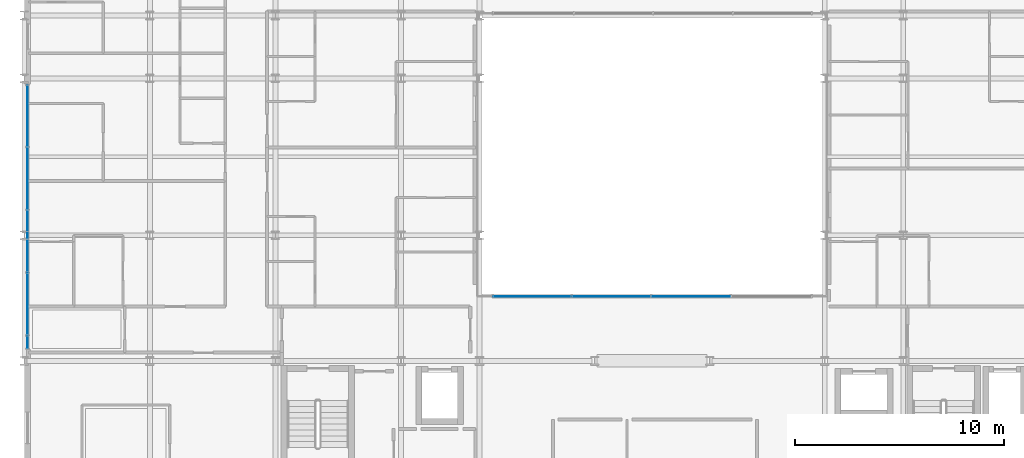
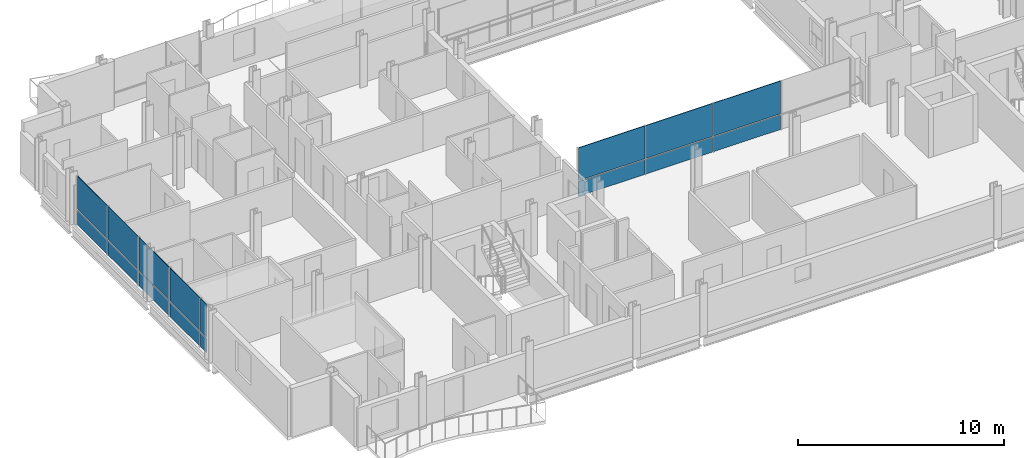
# One storey, part 26 of 41: 16 plates, 2 elements without a shape of their own.
"""IFC4 building model written with IfcOpenShell, lengths in metres."""

from ifc_helpers import new_model, si_unit, direction, frame, origin, origin_2d, place, context, subcontext, project, spatial, rectangle, extrude, material, layer, layer_set, type_object, element, aggregate, save


model = new_model("IFC4")

# Units and contexts
model_context = context("Model", 3, precision=1e-05, world=origin(), true_north=direction((0.0, 1.0)))
body_context = subcontext(model_context, "Body", "Model", "MODEL_VIEW")
ifc_project = project(units=[si_unit("LENGTHUNIT", "METRE"), si_unit("AREAUNIT", "SQUARE_METRE"), si_unit("VOLUMEUNIT", "CUBIC_METRE"), si_unit("PLANEANGLEUNIT", "RADIAN"), si_unit("MASSUNIT", "GRAM", prefix="KILO")], contexts=[model_context])

# Site, building, storey
site_placement = place(None, origin())
site = spatial("IfcSite", under=ifc_project, at=site_placement, CompositionType="ELEMENT")
building_placement = place(site_placement, origin())
building = spatial("IfcBuilding", under=site, at=building_placement, Name="Brevholm Reach", CompositionType="ELEMENT")
storey_placement = place(building_placement, frame((0.0, 0.0, 106.60009765625)))
storey = spatial("IfcBuildingStorey", under=building, at=storey_placement, Name="L31", CompositionType="ELEMENT", Elevation=106.60009765625)

# Curtain wall, plates
ifc_material_1 = material(Name="Dark Anodised Aluminium 6063-T6 and Solar-Control Glass", Category="aluminium")
ifc_layer_1 = layer(ifc_material_1, 0.14990234375)
ifc_layer_set_1 = layer_set([ifc_layer_1], Name="Dark Anodised Aluminium 6063-T6 and Solar-Control Glass")
curtain_wall_type_1 = type_object("IfcCurtainWallType", Name="CW-01", PredefinedType="NOTDEFINED", material=ifc_layer_set_1)
curtain_wall_1_placement = place(storey_placement, origin())
curtain_wall_1 = element("IfcCurtainWall", 1, at=curtain_wall_1_placement, inside=storey, type_object=curtain_wall_type_1, Name="L31 Curtain Wall CW-01", PredefinedType="NOTDEFINED")
ifc_material_2 = material(Name="Dark Solar-Control Double-Glazed IGU Glass", Category="glass")
ifc_layer_2 = layer(ifc_material_2, 0.028076171875)
ifc_layer_set_2 = layer_set([ifc_layer_2], Name="Dark Solar-Control Double-Glazed IGU Glass")
plate_type_1 = type_object("IfcPlateType", Name="CWP-GLZ-28", PredefinedType="CURTAIN_PANEL", material=ifc_layer_set_2)
plate_1_placement = place(storey_placement, frame((0.14990234375, 21.703857421875, 0.0), z_axis=(0.0, 0.0, 1.0), x_axis=(0.0, -1.0, 0.0)))
plate_1 = element("IfcPlate", 2, at=plate_1_placement, type_object=plate_type_1, Name="CP-01 Glazing Panel 1.1", PredefinedType="CURTAIN_PANEL", context=body_context, shape_type="SweptSolid", body=[
    extrude(rectangle(XDim=2.902587890625, YDim=0.028076171875, at=origin_2d()), origin(), (0.0, 0.0, 1.0), 0.867431640625),
])
plate_2_placement = place(storey_placement, frame((0.14990234375, 21.703857421875, 0.9326171875), z_axis=(0.0, 0.0, 1.0), x_axis=(0.0, -1.0, 0.0)))
plate_2 = element("IfcPlate", 3, at=plate_2_placement, type_object=plate_type_1, Name="CP-01 Glazing Panel 1.2", PredefinedType="CURTAIN_PANEL", context=body_context, shape_type="SweptSolid", body=[
    extrude(rectangle(XDim=2.902587890625, YDim=0.028076171875, at=origin_2d()), origin(), (0.0, 0.0, 1.0), 1.947509765625),
])
plate_3_placement = place(storey_placement, frame((0.14990234375, 18.719970703125, 0.0), z_axis=(0.0, 0.0, 1.0), x_axis=(0.0, -1.0, 0.0)))
plate_3 = element("IfcPlate", 4, at=plate_3_placement, type_object=plate_type_1, Name="CP-01 Glazing Panel 2.1", PredefinedType="CURTAIN_PANEL", context=body_context, shape_type="SweptSolid", body=[
    extrude(rectangle(XDim=2.93505859375, YDim=0.028076171875, at=origin_2d()), origin(), (0.0, 0.0, 1.0), 0.867431640625),
])
plate_4_placement = place(storey_placement, frame((0.14990234375, 18.719970703125, 0.9326171875), z_axis=(0.0, 0.0, 1.0), x_axis=(0.0, -1.0, 0.0)))
plate_4 = element("IfcPlate", 5, at=plate_4_placement, type_object=plate_type_1, Name="CP-01 Glazing Panel 2.2", PredefinedType="CURTAIN_PANEL", context=body_context, shape_type="SweptSolid", body=[
    extrude(rectangle(XDim=2.93505859375, YDim=0.028076171875, at=origin_2d()), origin(), (0.0, 0.0, 1.0), 1.947509765625),
])
plate_5_placement = place(storey_placement, frame((0.14990234375, 15.719970703125, 0.0), z_axis=(0.0, 0.0, 1.0), x_axis=(0.0, -1.0, 0.0)))
plate_5 = element("IfcPlate", 6, at=plate_5_placement, type_object=plate_type_1, Name="CP-01 Glazing Panel 3.1", PredefinedType="CURTAIN_PANEL", context=body_context, shape_type="SweptSolid", body=[
    extrude(rectangle(XDim=2.93505859375, YDim=0.028076171875, at=origin_2d()), origin(), (0.0, 0.0, 1.0), 0.867431640625),
])
plate_6_placement = place(storey_placement, frame((0.14990234375, 15.719970703125, 0.9326171875), z_axis=(0.0, 0.0, 1.0), x_axis=(0.0, -1.0, 0.0)))
plate_6 = element("IfcPlate", 7, at=plate_6_placement, type_object=plate_type_1, Name="CP-01 Glazing Panel 3.2", PredefinedType="CURTAIN_PANEL", context=body_context, shape_type="SweptSolid", body=[
    extrude(rectangle(XDim=2.93505859375, YDim=0.028076171875, at=origin_2d()), origin(), (0.0, 0.0, 1.0), 1.947509765625),
])
plate_7_placement = place(storey_placement, frame((0.14990234375, 12.719970703125, 0.0), z_axis=(0.0, 0.0, 1.0), x_axis=(0.0, -1.0, 0.0)))
plate_7 = element("IfcPlate", 8, at=plate_7_placement, type_object=plate_type_1, Name="CP-01 Glazing Panel 4.1", PredefinedType="CURTAIN_PANEL", context=body_context, shape_type="SweptSolid", body=[
    extrude(rectangle(XDim=2.93505859375, YDim=0.028076171875, at=origin_2d()), origin(), (0.0, 0.0, 1.0), 0.867431640625),
])
plate_8_placement = place(storey_placement, frame((0.14990234375, 12.719970703125, 0.9326171875), z_axis=(0.0, 0.0, 1.0), x_axis=(0.0, -1.0, 0.0)))
plate_8 = element("IfcPlate", 9, at=plate_8_placement, type_object=plate_type_1, Name="CP-01 Glazing Panel 4.2", PredefinedType="CURTAIN_PANEL", context=body_context, shape_type="SweptSolid", body=[
    extrude(rectangle(XDim=2.93505859375, YDim=0.028076171875, at=origin_2d()), origin(), (0.0, 0.0, 1.0), 1.947509765625),
])
plate_9_placement = place(storey_placement, frame((0.14990234375, 10.9013671875, 0.0), z_axis=(0.0, 0.0, 1.0), x_axis=(0.0, -1.0, 0.0)))
plate_9 = element("IfcPlate", 10, at=plate_9_placement, type_object=plate_type_1, Name="CP-01 Glazing Panel 5.1", PredefinedType="CURTAIN_PANEL", context=body_context, shape_type="SweptSolid", body=[
    extrude(rectangle(XDim=0.572509765625, YDim=0.028076171875, at=origin_2d()), origin(), (0.0, 0.0, 1.0), 0.867431640625),
])
plate_10_placement = place(storey_placement, frame((0.14990234375, 10.9013671875, 0.9326171875), z_axis=(0.0, 0.0, 1.0), x_axis=(0.0, -1.0, 0.0)))
plate_10 = element("IfcPlate", 11, at=plate_10_placement, type_object=plate_type_1, Name="CP-01 Glazing Panel 5.2", PredefinedType="CURTAIN_PANEL", context=body_context, shape_type="SweptSolid", body=[
    extrude(rectangle(XDim=0.572509765625, YDim=0.028076171875, at=origin_2d()), origin(), (0.0, 0.0, 1.0), 1.947509765625),
])
aggregate(curtain_wall_1, [plate_1, plate_2, plate_3, plate_4, plate_5, plate_6, plate_7, plate_8, plate_9, plate_10])

ifc_material_3 = material(Name="Dark Anodised Aluminium 6063-T6 and Solar-Control Glass", Category="aluminium")
ifc_layer_3 = layer(ifc_material_3, 0.139892578125)
ifc_layer_set_3 = layer_set([ifc_layer_3], Name="Dark Anodised Aluminium 6063-T6 and Solar-Control Glass")
curtain_wall_type_2 = type_object("IfcCurtainWallType", Name="CW-02", PredefinedType="NOTDEFINED", material=ifc_layer_set_3)
curtain_wall_2_placement = place(storey_placement, origin())
curtain_wall_2 = element("IfcCurtainWall", 12, at=curtain_wall_2_placement, inside=storey, type_object=curtain_wall_type_2, Name="L31 Curtain Wall CW-02", PredefinedType="NOTDEFINED")
ifc_material_4 = material(Name="Low-Iron Laminated Acoustic Glass", Category="glass")
ifc_layer_4 = layer(ifc_material_4, 0.035888671875)
ifc_layer_set_4 = layer_set([ifc_layer_4], Name="Low-Iron Laminated Acoustic Glass")
plate_type_2 = type_object("IfcPlateType", Name="CWP-GLZ-36", PredefinedType="CURTAIN_PANEL", material=ifc_layer_set_4)
plate_11_placement = place(storey_placement, frame((24.264892578125, 13.080078125, -0.000244140625), z_axis=(0.0, 0.0, 1.0), x_axis=(1.0, 0.0, 0.0)))
plate_11 = element("IfcPlate", 13, at=plate_11_placement, type_object=plate_type_2, Name="CP-02 Glazing Panel 1.1", PredefinedType="CURTAIN_PANEL", context=body_context, shape_type="SweptSolid", body=[
    extrude(rectangle(XDim=3.7099609375, YDim=0.035888671875, at=origin_2d()), origin(), (0.0, 0.0, 1.0), 0.8701171875),
])
plate_12_placement = place(storey_placement, frame((24.264892578125, 13.080078125, 0.9296875), z_axis=(0.0, 0.0, 1.0), x_axis=(1.0, 0.0, 0.0)))
plate_12 = element("IfcPlate", 14, at=plate_12_placement, type_object=plate_type_2, Name="CP-02 Glazing Panel 1.2", PredefinedType="CURTAIN_PANEL", context=body_context, shape_type="SweptSolid", body=[
    extrude(rectangle(XDim=3.7099609375, YDim=0.035888671875, at=origin_2d()), origin(), (0.0, 0.0, 1.0), 1.949951171875),
])
plate_13_placement = place(storey_placement, frame((28.050048828125, 13.080078125, -0.000244140625), z_axis=(0.0, 0.0, 1.0), x_axis=(1.0, 0.0, 0.0)))
plate_13 = element("IfcPlate", 15, at=plate_13_placement, type_object=plate_type_2, Name="CP-02 Glazing Panel 2.1", PredefinedType="CURTAIN_PANEL", context=body_context, shape_type="SweptSolid", body=[
    extrude(rectangle(XDim=3.739990234375, YDim=0.035888671875, at=origin_2d()), origin(), (0.0, 0.0, 1.0), 0.8701171875),
])
plate_14_placement = place(storey_placement, frame((28.050048828125, 13.080078125, 0.9296875), z_axis=(0.0, 0.0, 1.0), x_axis=(1.0, 0.0, 0.0)))
plate_14 = element("IfcPlate", 16, at=plate_14_placement, type_object=plate_type_2, Name="CP-02 Glazing Panel 2.2", PredefinedType="CURTAIN_PANEL", context=body_context, shape_type="SweptSolid", body=[
    extrude(rectangle(XDim=3.739990234375, YDim=0.035888671875, at=origin_2d()), origin(), (0.0, 0.0, 1.0), 1.949951171875),
])
plate_15_placement = place(storey_placement, frame((31.85009765625, 13.080078125, -0.000244140625), z_axis=(0.0, 0.0, 1.0), x_axis=(1.0, 0.0, 0.0)))
plate_15 = element("IfcPlate", 17, at=plate_15_placement, type_object=plate_type_2, Name="CP-02 Glazing Panel 3.1", PredefinedType="CURTAIN_PANEL", context=body_context, shape_type="SweptSolid", body=[
    extrude(rectangle(XDim=3.739990234375, YDim=0.035888671875, at=origin_2d()), origin(), (0.0, 0.0, 1.0), 0.8701171875),
])
plate_16_placement = place(storey_placement, frame((31.85009765625, 13.080078125, 0.9296875), z_axis=(0.0, 0.0, 1.0), x_axis=(1.0, 0.0, 0.0)))
plate_16 = element("IfcPlate", 18, at=plate_16_placement, type_object=plate_type_2, Name="CP-02 Glazing Panel 3.2", PredefinedType="CURTAIN_PANEL", context=body_context, shape_type="SweptSolid", body=[
    extrude(rectangle(XDim=3.739990234375, YDim=0.035888671875, at=origin_2d()), origin(), (0.0, 0.0, 1.0), 1.949951171875),
])
aggregate(curtain_wall_2, [plate_11, plate_12, plate_13, plate_14, plate_15, plate_16])

save(model, "model.ifc")
